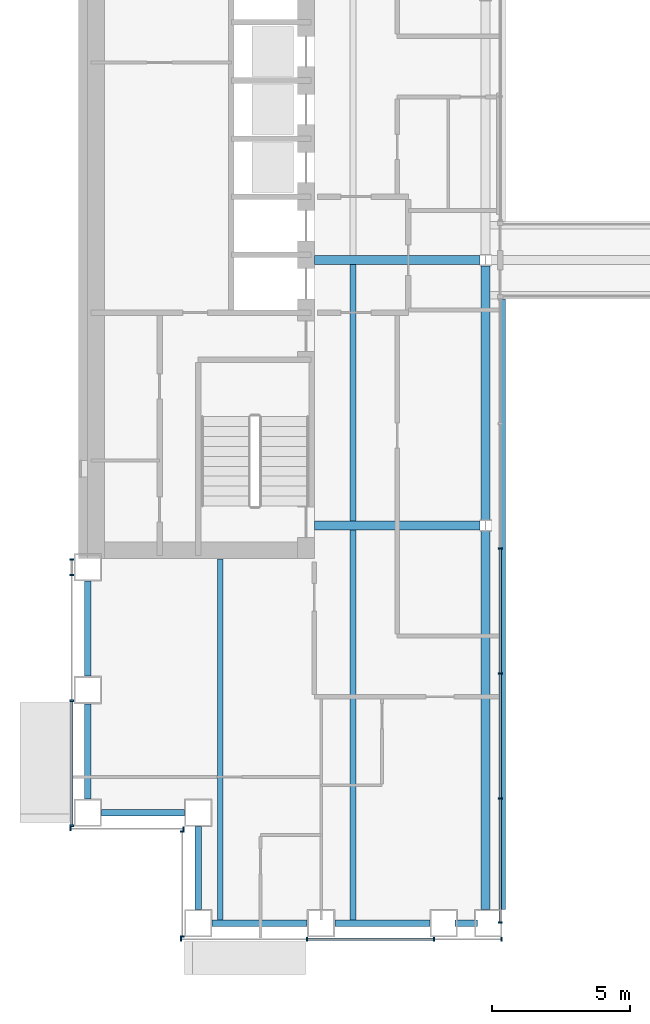
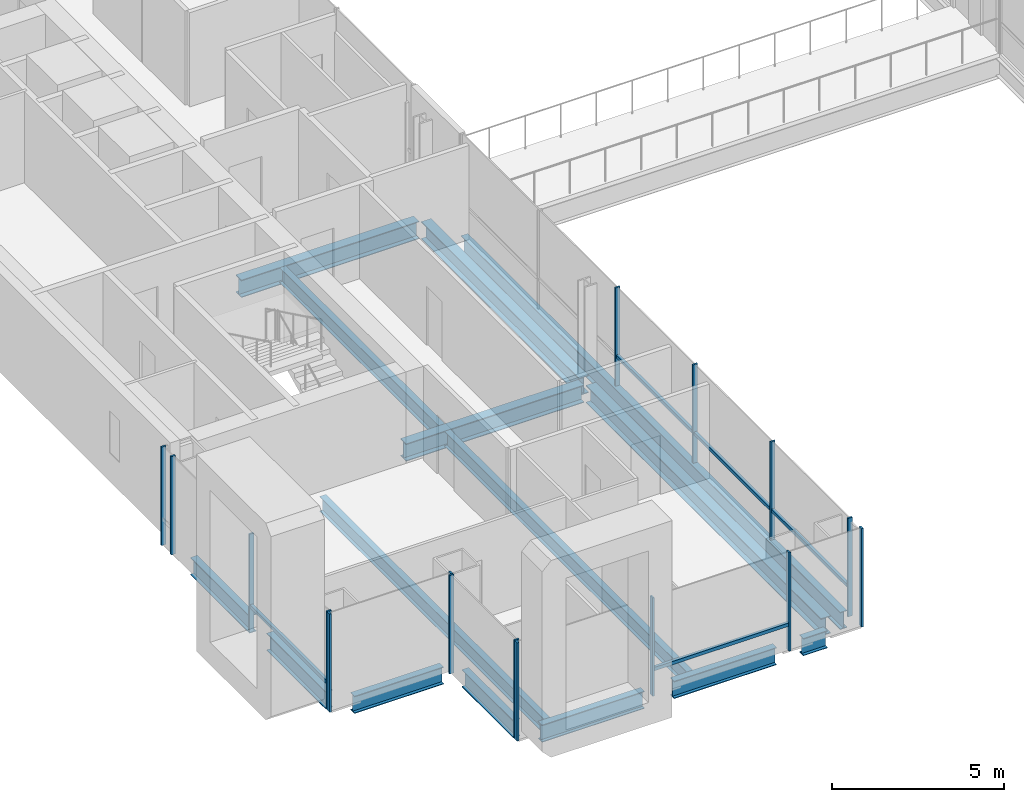
# One storey, part 2 of 21: 21 members, 15 beams, 5 elements without a shape of their own.
"""IFC4 building model written with IfcOpenShell, lengths in metres."""

from ifc_helpers import new_model, si_unit, direction, frame, origin, origin_2d, place, context, subcontext, project, spatial, rectangle, i_section, extrude, material, material_profile, profile_set, type_object, element, aggregate, save


model = new_model("IFC4")

# Units and contexts
model_context = context("Model", 3, precision=1e-05, world=origin(), true_north=direction((0.0, 1.0)))
body_context = subcontext(model_context, "Body", "Model", "MODEL_VIEW")
ifc_project = project(units=[si_unit("LENGTHUNIT", "METRE"), si_unit("AREAUNIT", "SQUARE_METRE"), si_unit("VOLUMEUNIT", "CUBIC_METRE"), si_unit("PLANEANGLEUNIT", "RADIAN"), si_unit("MASSUNIT", "GRAM", prefix="KILO")], contexts=[model_context])

# Site, building, storey
site_placement = place(None, origin())
site = spatial("IfcSite", under=ifc_project, at=site_placement, CompositionType="ELEMENT")
building_placement = place(site_placement, origin())
building = spatial("IfcBuilding", under=site, at=building_placement, Name="Cobrizo Arcos Hotel Tower", CompositionType="ELEMENT")
storey_placement = place(building_placement, frame((0.0, 0.0, 74.0)))
storey = spatial("IfcBuildingStorey", under=building, at=storey_placement, Name="L17", CompositionType="ELEMENT", Elevation=74.0)

# Curtain wall, members
ifc_material_1 = material(Name="Aluminium 6063-T6 anodised bronze", Category="aluminium")
curtain_wall_type_1 = type_object("IfcCurtainWallType", Name="CW-A guest facade", PredefinedType="NOTDEFINED", material=ifc_material_1)
curtain_wall_1_placement = place(storey_placement, origin())
curtain_wall_1 = element("IfcCurtainWall", 1, at=curtain_wall_1_placement, inside=storey, type_object=curtain_wall_type_1, Name="CW-A L17 S face", PredefinedType="NOTDEFINED")
ifc_material_profile_1 = material_profile(ifc_material_1, rectangle(XDim=0.14990234375, YDim=0.06005859375, at=origin_2d()), Name="CW-A mullion 150x60")
ifc_profile_set_1 = profile_set([ifc_material_profile_1], Name="Aluminium 6063-T6 anodised bronze")
member_type_1 = type_object("IfcMemberType", Name="CW-A mullion 150x60", PredefinedType="MULLION", material=ifc_profile_set_1)
member_1_placement = place(storey_placement, frame((-20.6201171875, -24.574951171875, 0.0), z_axis=(0.0, 0.0, 1.0), x_axis=(0.0, -1.0, 0.0)))
member_1 = element("IfcMember", 2, at=member_1_placement, type_object=member_type_1, Name="CW-A mullion 1", PredefinedType="MULLION", context=body_context, shape_type="SweptSolid", body=[
    extrude(rectangle(XDim=0.14990234375, YDim=0.06005859375, at=origin_2d()), origin(), (0.0, 0.0, 1.0), 3.5),
])
member_2_placement = place(storey_placement, frame((-16.06103515625, -24.574951171875, 0.0), z_axis=(0.0, 0.0, 1.0), x_axis=(0.0, -1.0, 0.0)))
member_2 = element("IfcMember", 3, at=member_2_placement, type_object=member_type_1, Name="CW-A mullion 2", PredefinedType="MULLION", context=body_context, shape_type="SweptSolid", body=[
    extrude(rectangle(XDim=0.14990234375, YDim=0.06005859375, at=origin_2d()), origin(), (0.0, 0.0, 1.0), 3.5),
])
member_3_placement = place(storey_placement, frame((-11.47216796875, -24.574951171875, 0.0), z_axis=(0.0, 0.0, 1.0), x_axis=(0.0, -1.0, 0.0)))
member_3 = element("IfcMember", 4, at=member_3_placement, type_object=member_type_1, Name="CW-A mullion 3", PredefinedType="MULLION", context=body_context, shape_type="SweptSolid", body=[
    extrude(rectangle(XDim=0.14990234375, YDim=0.06005859375, at=origin_2d()), origin(), (0.0, 0.0, 1.0), 3.5),
])
member_4_placement = place(storey_placement, frame((-9.030029296875, -24.574951171875, 0.0), z_axis=(0.0, 0.0, 1.0), x_axis=(0.0, -1.0, 0.0)))
member_4 = element("IfcMember", 5, at=member_4_placement, type_object=member_type_1, Name="CW-A mullion 4", PredefinedType="MULLION", context=body_context, shape_type="SweptSolid", body=[
    extrude(rectangle(XDim=0.14990234375, YDim=0.06005859375, at=origin_2d()), origin(), (0.0, 0.0, 1.0), 3.5),
])

curtain_wall_2_placement = place(storey_placement, origin())
curtain_wall_2 = element("IfcCurtainWall", 6, at=curtain_wall_2_placement, inside=storey, type_object=curtain_wall_type_1, Name="CW-A L17 W face", PredefinedType="NOTDEFINED")
member_5_placement = place(storey_placement, frame((-24.574951171875, -10.830078125, 0.0), z_axis=(0.0, 0.0, 1.0), x_axis=(-1.0, 0.0, 0.0)))
member_5 = element("IfcMember", 7, at=member_5_placement, type_object=member_type_1, Name="CW-A mullion 1", PredefinedType="MULLION", context=body_context, shape_type="SweptSolid", body=[
    extrude(rectangle(XDim=0.14990234375, YDim=0.06005859375, at=origin_2d()), origin(), (0.0, 0.0, 1.0), 3.5),
])
member_6_placement = place(storey_placement, frame((-24.574951171875, -11.388916015625, 0.0), z_axis=(0.0, 0.0, 1.0), x_axis=(-1.0, 0.0, 0.0)))
member_6 = element("IfcMember", 8, at=member_6_placement, type_object=member_type_1, Name="CW-A mullion 2", PredefinedType="MULLION", context=body_context, shape_type="SweptSolid", body=[
    extrude(rectangle(XDim=0.14990234375, YDim=0.06005859375, at=origin_2d()), origin(), (0.0, 0.0, 1.0), 3.5),
])
member_7_placement = place(storey_placement, frame((-24.574951171875, -15.9443359375, 0.0), z_axis=(0.0, 0.0, 1.0), x_axis=(-1.0, 0.0, 0.0)))
member_7 = element("IfcMember", 9, at=member_7_placement, type_object=member_type_1, Name="CW-A mullion 3", PredefinedType="MULLION", context=body_context, shape_type="SweptSolid", body=[
    extrude(rectangle(XDim=0.14990234375, YDim=0.06005859375, at=origin_2d()), origin(), (0.0, 0.0, 1.0), 3.5),
])
member_8_placement = place(storey_placement, frame((-24.574951171875, -20.469970703125, 0.0), z_axis=(0.0, 0.0, 1.0), x_axis=(-1.0, 0.0, 0.0)))
member_8 = element("IfcMember", 10, at=member_8_placement, type_object=member_type_1, Name="CW-A mullion 4", PredefinedType="MULLION", context=body_context, shape_type="SweptSolid", body=[
    extrude(rectangle(XDim=0.14990234375, YDim=0.06005859375, at=origin_2d()), origin(), (0.0, 0.0, 1.0), 3.5),
])

curtain_wall_3_placement = place(storey_placement, origin())
curtain_wall_3 = element("IfcCurtainWall", 11, at=curtain_wall_3_placement, inside=storey, type_object=curtain_wall_type_1, Name="CW-A L17 S face", PredefinedType="NOTDEFINED")
member_9_placement = place(storey_placement, frame((-24.6201171875, -20.574951171875, 0.0), z_axis=(0.0, 0.0, 1.0), x_axis=(0.0, -1.0, 0.0)))
member_9 = element("IfcMember", 12, at=member_9_placement, type_object=member_type_1, Name="CW-A mullion 1", PredefinedType="MULLION", context=body_context, shape_type="SweptSolid", body=[
    extrude(rectangle(XDim=0.14990234375, YDim=0.06005859375, at=origin_2d()), origin(), (0.0, 0.0, 1.0), 3.5),
])
member_10_placement = place(storey_placement, frame((-20.530029296875, -20.574951171875, 0.0), z_axis=(0.0, 0.0, 1.0), x_axis=(0.0, -1.0, 0.0)))
member_10 = element("IfcMember", 13, at=member_10_placement, type_object=member_type_1, Name="CW-A mullion 2", PredefinedType="MULLION", context=body_context, shape_type="SweptSolid", body=[
    extrude(rectangle(XDim=0.14990234375, YDim=0.06005859375, at=origin_2d()), origin(), (0.0, 0.0, 1.0), 3.5),
])
aggregate(curtain_wall_3, [member_9, member_10])

curtain_wall_4_placement = place(storey_placement, origin())
curtain_wall_4 = element("IfcCurtainWall", 14, at=curtain_wall_4_placement, inside=storey, type_object=curtain_wall_type_1, Name="CW-A L17 W face", PredefinedType="NOTDEFINED")
member_11_placement = place(storey_placement, frame((-20.574951171875, -20.679931640625, 0.0), z_axis=(0.0, 0.0, 1.0), x_axis=(-1.0, 0.0, 0.0)))
member_11 = element("IfcMember", 15, at=member_11_placement, type_object=member_type_1, Name="CW-A mullion 1", PredefinedType="MULLION", context=body_context, shape_type="SweptSolid", body=[
    extrude(rectangle(XDim=0.14990234375, YDim=0.06005859375, at=origin_2d()), origin(), (0.0, 0.0, 1.0), 3.5),
])
member_12_placement = place(storey_placement, frame((-20.574951171875, -24.469970703125, 0.0), z_axis=(0.0, 0.0, 1.0), x_axis=(-1.0, 0.0, 0.0)))
member_12 = element("IfcMember", 16, at=member_12_placement, type_object=member_type_1, Name="CW-A mullion 2", PredefinedType="MULLION", context=body_context, shape_type="SweptSolid", body=[
    extrude(rectangle(XDim=0.14990234375, YDim=0.06005859375, at=origin_2d()), origin(), (0.0, 0.0, 1.0), 3.5),
])
aggregate(curtain_wall_4, [member_11, member_12])

# Member
ifc_material_profile_2 = material_profile(ifc_material_1, rectangle(XDim=0.10009765625, YDim=0.1201171875, at=origin_2d()), Name="CW-A transom 120x100")
ifc_profile_set_2 = profile_set([ifc_material_profile_2], Name="Aluminium 6063-T6 anodised bronze")
member_type_2 = type_object("IfcMemberType", Name="CW-A transom 120x100", PredefinedType="USERDEFINED", material=ifc_profile_set_2)
member_13_placement = place(storey_placement, frame((-16.031005859375, -24.574951171875, 0.929931640625), z_axis=(1.0, 0.0, 0.0), x_axis=(0.0, 1.0, 0.0)))
member_13 = element("IfcMember", 17, at=member_13_placement, type_object=member_type_2, Name="CW-A transom 718", ObjectType="TRANSOM", PredefinedType="USERDEFINED", context=body_context, shape_type="SweptSolid", body=[
    extrude(rectangle(XDim=0.10009765625, YDim=0.1201171875, at=origin_2d()), origin(), (0.0, 0.0, 1.0), 4.52880859375),
])

aggregate(curtain_wall_1, [member_1, member_2, member_3, member_4, member_13])

member_14_placement = place(storey_placement, frame((-24.574951171875, -15.974365234375, 0.929931640625), z_axis=(0.0, -1.0, 0.0), x_axis=(1.0, 0.0, 0.0)))
member_14 = element("IfcMember", 18, at=member_14_placement, type_object=member_type_2, Name="CW-A transom 746", ObjectType="TRANSOM", PredefinedType="USERDEFINED", context=body_context, shape_type="SweptSolid", body=[
    extrude(rectangle(XDim=0.10009765625, YDim=0.1201171875, at=origin_2d()), origin(), (0.0, 0.0, 1.0), 4.465576171875),
])

aggregate(curtain_wall_2, [member_5, member_6, member_7, member_8, member_14])

# Curtain wall, members
curtain_wall_type_2 = type_object("IfcCurtainWallType", Name="CW-F void screen", PredefinedType="NOTDEFINED", material=ifc_material_1)
curtain_wall_5_placement = place(storey_placement, origin())
curtain_wall_5 = element("IfcCurtainWall", 19, at=curtain_wall_5_placement, inside=storey, type_object=curtain_wall_type_2, Name="CW-F L17 void screen A", PredefinedType="NOTDEFINED")
ifc_material_profile_3 = material_profile(ifc_material_1, rectangle(XDim=0.14990234375, YDim=0.06005859375, at=origin_2d()), Name="CW-F mullion 150x60")
ifc_profile_set_3 = profile_set([ifc_material_profile_3], Name="Aluminium 6063-T6 anodised bronze")
member_type_3 = type_object("IfcMemberType", Name="CW-F mullion 150x60", PredefinedType="MULLION", material=ifc_profile_set_3)
member_15_placement = place(storey_placement, frame((-9.074951171875, -10.43994140625, 0.0), z_axis=(0.0, 0.0, 1.0), x_axis=(-1.0, 0.0, 0.0)))
member_15 = element("IfcMember", 20, at=member_15_placement, type_object=member_type_3, Name="CW-F mullion 3", PredefinedType="MULLION", context=body_context, shape_type="SweptSolid", body=[
    extrude(rectangle(XDim=0.14990234375, YDim=0.06005859375, at=origin_2d()), origin(), (0.0, 0.0, 1.0), 3.5),
])
member_16_placement = place(storey_placement, frame((-9.074951171875, -14.9599609375, 0.0), z_axis=(0.0, 0.0, 1.0), x_axis=(-1.0, 0.0, 0.0)))
member_16 = element("IfcMember", 21, at=member_16_placement, type_object=member_type_3, Name="CW-F mullion 4", PredefinedType="MULLION", context=body_context, shape_type="SweptSolid", body=[
    extrude(rectangle(XDim=0.14990234375, YDim=0.06005859375, at=origin_2d()), origin(), (0.0, 0.0, 1.0), 3.5),
])
member_17_placement = place(storey_placement, frame((-9.074951171875, -19.47998046875, 0.0), z_axis=(0.0, 0.0, 1.0), x_axis=(-1.0, 0.0, 0.0)))
member_17 = element("IfcMember", 22, at=member_17_placement, type_object=member_type_3, Name="CW-F mullion 5", PredefinedType="MULLION", context=body_context, shape_type="SweptSolid", body=[
    extrude(rectangle(XDim=0.14990234375, YDim=0.06005859375, at=origin_2d()), origin(), (0.0, 0.0, 1.0), 3.5),
])
member_18_placement = place(storey_placement, frame((-9.074951171875, -23.969970703125, 0.0), z_axis=(0.0, 0.0, 1.0), x_axis=(-1.0, 0.0, 0.0)))
member_18 = element("IfcMember", 23, at=member_18_placement, type_object=member_type_3, Name="CW-F mullion 6", PredefinedType="MULLION", context=body_context, shape_type="SweptSolid", body=[
    extrude(rectangle(XDim=0.14990234375, YDim=0.06005859375, at=origin_2d()), origin(), (0.0, 0.0, 1.0), 3.5),
])
ifc_material_profile_4 = material_profile(ifc_material_1, rectangle(XDim=0.10009765625, YDim=0.1201171875, at=origin_2d()), Name="CW-F transom 120x100")
ifc_profile_set_4 = profile_set([ifc_material_profile_4], Name="Aluminium 6063-T6 anodised bronze")
member_type_4 = type_object("IfcMemberType", Name="CW-F transom 120x100", PredefinedType="USERDEFINED", material=ifc_profile_set_4)
member_19_placement = place(storey_placement, frame((-9.074951171875, -10.469970703125, 1.050048828125), z_axis=(0.0, -1.0, 0.0), x_axis=(1.0, 0.0, 0.0)))
member_19 = element("IfcMember", 24, at=member_19_placement, type_object=member_type_4, Name="CW-F transom 2525", ObjectType="TRANSOM", PredefinedType="USERDEFINED", context=body_context, shape_type="SweptSolid", body=[
    extrude(rectangle(XDim=0.10009765625, YDim=0.1201171875, at=origin_2d()), origin(), (0.0, 0.0, 1.0), 4.4599609375),
])
member_20_placement = place(storey_placement, frame((-9.074951171875, -14.989990234375, 1.050048828125), z_axis=(0.0, -1.0, 0.0), x_axis=(1.0, 0.0, 0.0)))
member_20 = element("IfcMember", 25, at=member_20_placement, type_object=member_type_4, Name="CW-F transom 2526", ObjectType="TRANSOM", PredefinedType="USERDEFINED", context=body_context, shape_type="SweptSolid", body=[
    extrude(rectangle(XDim=0.10009765625, YDim=0.1201171875, at=origin_2d()), origin(), (0.0, 0.0, 1.0), 4.4599609375),
])
member_21_placement = place(storey_placement, frame((-9.074951171875, -19.510009765625, 1.050048828125), z_axis=(0.0, -1.0, 0.0), x_axis=(1.0, 0.0, 0.0)))
member_21 = element("IfcMember", 26, at=member_21_placement, type_object=member_type_4, Name="CW-F transom 2527", ObjectType="TRANSOM", PredefinedType="USERDEFINED", context=body_context, shape_type="SweptSolid", body=[
    extrude(rectangle(XDim=0.10009765625, YDim=0.1201171875, at=origin_2d()), origin(), (0.0, 0.0, 1.0), 4.429931640625),
])
aggregate(curtain_wall_5, [member_15, member_16, member_17, member_18, member_19, member_20, member_21])

# Beams
ifc_material_2 = material(Name="Steel ASTM A992 Grade 50", Category="steel")
ifc_material_profile_5 = material_profile(ifc_material_2, i_section(OverallWidth=0.209228515625, OverallDepth=0.533447265625, WebThickness=0.01025390625, FlangeThickness=0.015625, at=origin_2d()), Name="W21X62")
ifc_profile_set_5 = profile_set([ifc_material_profile_5], Name="Steel ASTM A992 Grade 50")
beam_type_1 = type_object("IfcBeamType", Name="W21X62 joist", PredefinedType="JOIST", material=ifc_profile_set_5)
beam_1_placement = place(storey_placement, frame((-19.199951171875, -23.909912109375, -0.416748046875), z_axis=(0.0, 1.0, 0.0), x_axis=(-1.0, 0.0, 0.0)))
element("IfcBeam", 27, at=beam_1_placement, inside=storey, type_object=beam_type_1, Name="Floor joist J1, L17, no. 001", PredefinedType="JOIST", context=body_context, shape_type="SweptSolid", body=[
    extrude(i_section(OverallWidth=0.209228515625, OverallDepth=0.533447265625, WebThickness=0.01025390625, FlangeThickness=0.015625, at=origin_2d()), origin(), (0.0, 0.0, 1.0), 13.099853515625),
])
beam_2_placement = place(storey_placement, frame((-14.39990234375, -23.909912109375, -0.416748046875), z_axis=(0.0, 1.0, 0.0), x_axis=(-1.0, 0.0, 0.0)))
element("IfcBeam", 28, at=beam_2_placement, inside=storey, type_object=beam_type_1, Name="Floor joist J1, L17, no. 003", PredefinedType="JOIST", context=body_context, shape_type="SweptSolid", body=[
    extrude(i_section(OverallWidth=0.209228515625, OverallDepth=0.533447265625, WebThickness=0.01025390625, FlangeThickness=0.015625, at=origin_2d()), origin(), (0.0, 0.0, 1.0), 14.14599609375),
])
beam_3_placement = place(storey_placement, frame((-14.39990234375, -9.43603515625, -0.416748046875), z_axis=(0.0, 1.0, 0.0), x_axis=(-1.0, 0.0, 0.0)))
element("IfcBeam", 29, at=beam_3_placement, inside=storey, type_object=beam_type_1, Name="Floor joist J1, L17, no. 004", PredefinedType="JOIST", context=body_context, shape_type="SweptSolid", body=[
    extrude(i_section(OverallWidth=0.209228515625, OverallDepth=0.533447265625, WebThickness=0.01025390625, FlangeThickness=0.015625, at=origin_2d()), origin(), (0.0, 0.0, 1.0), 9.272216796875),
])
ifc_material_profile_6 = material_profile(ifc_material_2, i_section(OverallWidth=0.32763671875, OverallDepth=0.622314453125, WebThickness=0.015380859375, FlangeThickness=0.0244140625, at=origin_2d()), Name="W24X131")
ifc_profile_set_6 = profile_set([ifc_material_profile_6], Name="Steel ASTM A992 Grade 50")
beam_type_2 = type_object("IfcBeamType", Name="W24X131 girder", PredefinedType="BEAM", material=ifc_profile_set_6)
for number, where, z_axis, x_axis, name in (
    (30, (-15.7900390625, -9.60009765625, -0.461181640625), (1.0, 0.0, 0.0), (0.0, 1.0, 0.0), "Floor girder G1, L17, no. 001"),
    (31, (-15.7900390625, 0.0, -0.461181640625), (1.0, 0.0, 0.0), (0.0, 1.0, 0.0), "Floor girder G1, L17, no. 003"),
):
    element("IfcBeam", number, at=place(storey_placement, frame(where, z_axis=z_axis, x_axis=x_axis)), inside=storey, type_object=beam_type_2, Name=name, PredefinedType="BEAM", context=body_context, shape_type="SweptSolid", body=[
        extrude(i_section(OverallWidth=0.32763671875, OverallDepth=0.622314453125, WebThickness=0.015380859375, FlangeThickness=0.0244140625, at=origin_2d()), origin(), (0.0, 0.0, 1.0), 5.985595703125),
    ])
beam_4_placement = place(storey_placement, frame((-9.60009765625, -23.5, -0.461181640625), z_axis=(0.0, 1.0, 0.0), x_axis=(-1.0, 0.0, 0.0)))
element("IfcBeam", 32, at=beam_4_placement, inside=storey, type_object=beam_type_2, Name="Floor girder G1, L17, no. 008", PredefinedType="BEAM", context=body_context, shape_type="SweptSolid", body=[
    extrude(i_section(OverallWidth=0.32763671875, OverallDepth=0.622314453125, WebThickness=0.015380859375, FlangeThickness=0.0244140625, at=origin_2d()), origin(), (0.0, 0.0, 1.0), 13.695556640625),
])
beam_5_placement = place(storey_placement, frame((-9.60009765625, -9.3955078125, -0.461181640625), z_axis=(0.0, 1.0, 0.0), x_axis=(-1.0, 0.0, 0.0)))
element("IfcBeam", 33, at=beam_5_placement, inside=storey, type_object=beam_type_2, Name="Floor girder G1, L17, no. 009", PredefinedType="BEAM", context=body_context, shape_type="SweptSolid", body=[
    extrude(i_section(OverallWidth=0.32763671875, OverallDepth=0.622314453125, WebThickness=0.015380859375, FlangeThickness=0.0244140625, at=origin_2d()), origin(), (0.0, 0.0, 1.0), 9.191162109375),
])
ifc_material_profile_7 = material_profile(ifc_material_2, i_section(OverallWidth=0.23046875, OverallDepth=0.6171875, WebThickness=0.01318359375, FlangeThickness=0.022216796875, at=origin_2d()), Name="W24X94")
ifc_profile_set_7 = profile_set([ifc_material_profile_7], Name="Steel ASTM A992 Grade 50")
beam_type_3 = type_object("IfcBeamType", Name="W24X94 spandrel", PredefinedType="SPANDREL", material=ifc_profile_set_7)
beam_6_placement = place(storey_placement, frame((-9.0, -1.39990234375, -0.45849609375), z_axis=(0.0, -1.0, 0.0), x_axis=(1.0, 0.0, 0.0)))
element("IfcBeam", 34, at=beam_6_placement, inside=storey, type_object=beam_type_3, Name="Spandrel beam W24X94, L17, no. 012", PredefinedType="SPANDREL", context=body_context, shape_type="SweptSolid", body=[
    extrude(i_section(OverallWidth=0.23046875, OverallDepth=0.6171875, WebThickness=0.01318359375, FlangeThickness=0.022216796875, at=origin_2d()), origin(), (0.0, 0.0, 1.0), 22.10009765625),
])
beam_7_placement = place(storey_placement, frame((-9.89990234375, -24.0, -0.45849609375), z_axis=(-1.0, 0.0, 0.0), x_axis=(0.0, -1.0, 0.0)))
element("IfcBeam", 35, at=beam_7_placement, inside=storey, type_object=beam_type_3, Name="Spandrel beam W24X94, L17, no. 013", PredefinedType="SPANDREL", context=body_context, shape_type="SweptSolid", body=[
    extrude(i_section(OverallWidth=0.23046875, OverallDepth=0.6171875, WebThickness=0.01318359375, FlangeThickness=0.022216796875, at=origin_2d()), origin(), (0.0, 0.0, 1.0), 0.81103515625),
])
beam_8_placement = place(storey_placement, frame((-11.611083984375, -24.0, -0.45849609375), z_axis=(-1.0, 0.0, 0.0), x_axis=(0.0, -1.0, 0.0)))
element("IfcBeam", 36, at=beam_8_placement, inside=storey, type_object=beam_type_3, Name="Spandrel beam W24X94, L17, no. 014", PredefinedType="SPANDREL", context=body_context, shape_type="SweptSolid", body=[
    extrude(i_section(OverallWidth=0.23046875, OverallDepth=0.6171875, WebThickness=0.01318359375, FlangeThickness=0.022216796875, at=origin_2d()), origin(), (0.0, 0.0, 1.0), 3.44482421875),
])
beam_9_placement = place(storey_placement, frame((-16.055908203125, -24.0, -0.45849609375), z_axis=(-1.0, 0.0, 0.0), x_axis=(0.0, -1.0, 0.0)))
element("IfcBeam", 37, at=beam_9_placement, inside=storey, type_object=beam_type_3, Name="Spandrel beam W24X94, L17, no. 015", PredefinedType="SPANDREL", context=body_context, shape_type="SweptSolid", body=[
    extrude(i_section(OverallWidth=0.23046875, OverallDepth=0.6171875, WebThickness=0.01318359375, FlangeThickness=0.022216796875, at=origin_2d()), origin(), (0.0, 0.0, 1.0), 3.444091796875),
])
for number, where, z_axis, x_axis, name in (
    (38, (-20.0, -23.5, -0.45849609375), (0.0, 1.0, 0.0), (-1.0, 0.0, 0.0), "Spandrel beam W24X94, L17, no. 016"),
    (39, (-20.5, -20.0, -0.45849609375), (-1.0, 0.0, 0.0), (0.0, -1.0, 0.0), "Spandrel beam W24X94, L17, no. 017"),
):
    element("IfcBeam", number, at=place(storey_placement, frame(where, z_axis=z_axis, x_axis=x_axis)), inside=storey, type_object=beam_type_3, Name=name, PredefinedType="SPANDREL", context=body_context, shape_type="SweptSolid", body=[
        extrude(i_section(OverallWidth=0.23046875, OverallDepth=0.6171875, WebThickness=0.01318359375, FlangeThickness=0.022216796875, at=origin_2d()), origin(), (0.0, 0.0, 1.0), 3.0),
    ])
beam_10_placement = place(storey_placement, frame((-24.0, -19.5, -0.45849609375), z_axis=(0.0, 1.0, 0.0), x_axis=(-1.0, 0.0, 0.0)))
element("IfcBeam", 40, at=beam_10_placement, inside=storey, type_object=beam_type_3, Name="Spandrel beam W24X94, L17, no. 018", PredefinedType="SPANDREL", context=body_context, shape_type="SweptSolid", body=[
    extrude(i_section(OverallWidth=0.23046875, OverallDepth=0.6171875, WebThickness=0.01318359375, FlangeThickness=0.022216796875, at=origin_2d()), origin(), (0.0, 0.0, 1.0), 3.444091796875),
])
beam_11_placement = place(storey_placement, frame((-24.0, -15.055908203125, -0.45849609375), z_axis=(0.0, 1.0, 0.0), x_axis=(-1.0, 0.0, 0.0)))
element("IfcBeam", 41, at=beam_11_placement, inside=storey, type_object=beam_type_3, Name="Spandrel beam W24X94, L17, no. 019", PredefinedType="SPANDREL", context=body_context, shape_type="SweptSolid", body=[
    extrude(i_section(OverallWidth=0.23046875, OverallDepth=0.6171875, WebThickness=0.01318359375, FlangeThickness=0.022216796875, at=origin_2d()), origin(), (0.0, 0.0, 1.0), 3.44482421875),
])

save(model, "model.ifc")
